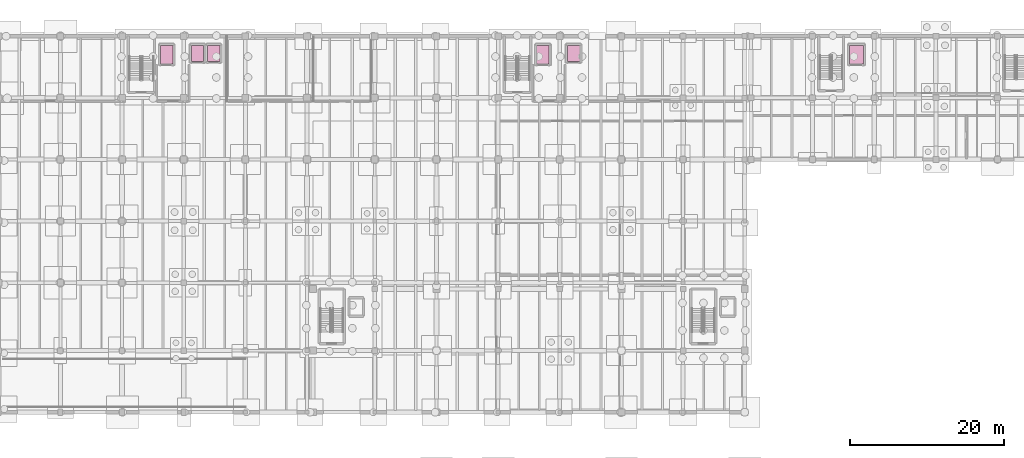
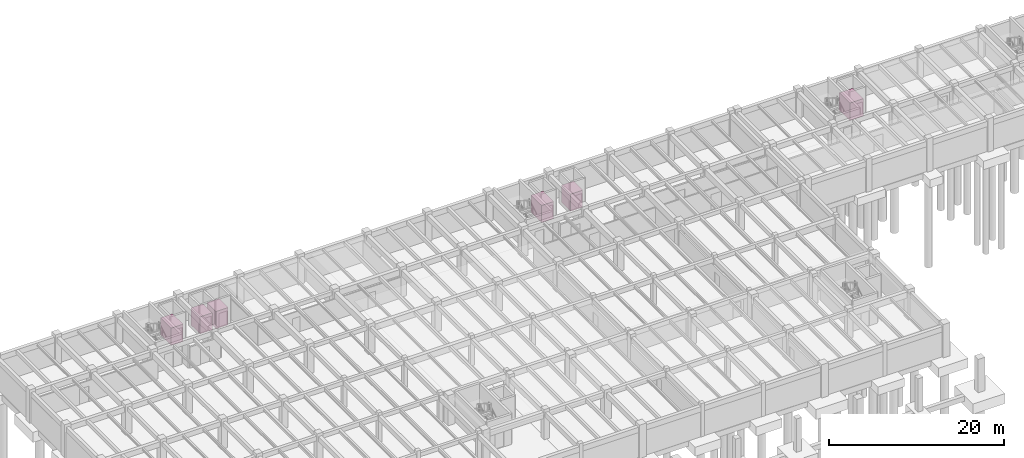
# One storey, part 25 of 25: 6 transport elements.
"""IFC4 building model written with IfcOpenShell, lengths in metres."""

from ifc_helpers import new_model, si_unit, direction, frame, origin, origin_2d, place, context, subcontext, project, spatial, rectangle, extrude, material, type_object, element, save


model = new_model("IFC4")

# Units and contexts
model_context = context("Model", 3, precision=1e-05, world=origin(), true_north=direction((0.0, 1.0)))
body_context = subcontext(model_context, "Body", "Model", "MODEL_VIEW")
ifc_project = project(units=[si_unit("LENGTHUNIT", "METRE"), si_unit("AREAUNIT", "SQUARE_METRE"), si_unit("VOLUMEUNIT", "CUBIC_METRE"), si_unit("PLANEANGLEUNIT", "RADIAN"), si_unit("MASSUNIT", "GRAM", prefix="KILO")], contexts=[model_context])

# Site, building, storey
site_placement = place(None, origin())
site = spatial("IfcSite", under=ifc_project, at=site_placement, CompositionType="ELEMENT")
building_placement = place(site_placement, origin())
building = spatial("IfcBuilding", under=site, at=building_placement, Name="Tlaxcora Railside Police Headquarters", CompositionType="ELEMENT")
storey_placement = place(building_placement, frame((0.0, 0.0, -4.199951171875)))
storey = spatial("IfcBuildingStorey", under=building, at=storey_placement, Name="B1", CompositionType="ELEMENT", Elevation=-4.199951171875)

# Transport elements
ifc_material = material(Name="Steel ASTM A992 Grade 50", Category="steel")
transport_element_type_1 = type_object("IfcTransportElementType", Name="Emergency Firefighting Lift Car LF-FF", PredefinedType="ELEVATOR", material=ifc_material)
for number, where, z_axis, x_axis, name in (
    (1, (27.0, 90.39990234375, 0.0), (0.0, 0.0, 1.0), (1.0, 0.0, 0.0), "Lift FFL-01 car"),
    (2, (75.800048828125, 90.39990234375, 0.0), (0.0, 0.0, 1.0), (1.0, 0.0, 0.0), "Lift FFL-02 car"),
):
    element("IfcTransportElement", number, at=place(storey_placement, frame(where, z_axis=z_axis, x_axis=x_axis)), inside=storey, type_object=transport_element_type_1, Name=name, PredefinedType="ELEVATOR", context=body_context, shape_type="SweptSolid", body=[
        extrude(rectangle(XDim=1.60009765625, YDim=2.39990234375, at=origin_2d()), origin(), (0.0, 0.0, 1.0), 2.39990234375),
    ])
transport_element_type_2 = type_object("IfcTransportElementType", Name="Forensic Goods Lift Car LF-GDS", PredefinedType="ELEVATOR", material=ifc_material)
transport_element_placement = place(storey_placement, frame((116.5, 90.39990234375, 0.0), z_axis=(0.0, 0.0, 1.0), x_axis=(1.0, 0.0, 0.0)))
element("IfcTransportElement", 3, at=transport_element_placement, inside=storey, type_object=transport_element_type_2, Name="Lift GL-01 car", PredefinedType="ELEVATOR", context=body_context, shape_type="SweptSolid", body=[
    extrude(rectangle(XDim=1.800048828125, YDim=2.39990234375, at=origin_2d()), origin(), (0.0, 0.0, 1.0), 2.449951171875),
])
transport_element_type_3 = type_object("IfcTransportElementType", Name="Passenger Lift Car LF-PAX", PredefinedType="ELEVATOR", material=ifc_material)
for number, where, z_axis, x_axis, name in (
    (4, (31.0, 90.550048828125, 0.0), (0.0, 0.0, 1.0), (1.0, 0.0, 0.0), "Lift PL-01 car"),
    (5, (33.10009765625, 90.550048828125, 0.0), (0.0, 0.0, 1.0), (1.0, 0.0, 0.0), "Lift PL-02 car"),
    (6, (79.800048828125, 90.550048828125, 0.0), (0.0, 0.0, 1.0), (1.0, 0.0, 0.0), "Lift PL-03 car"),
):
    element("IfcTransportElement", number, at=place(storey_placement, frame(where, z_axis=z_axis, x_axis=x_axis)), inside=storey, type_object=transport_element_type_3, Name=name, PredefinedType="ELEVATOR", context=body_context, shape_type="SweptSolid", body=[
        extrude(rectangle(XDim=1.60009765625, YDim=2.10009765625, at=origin_2d()), origin(), (0.0, 0.0, 1.0), 2.39990234375),
    ])

save(model, "model.ifc")
